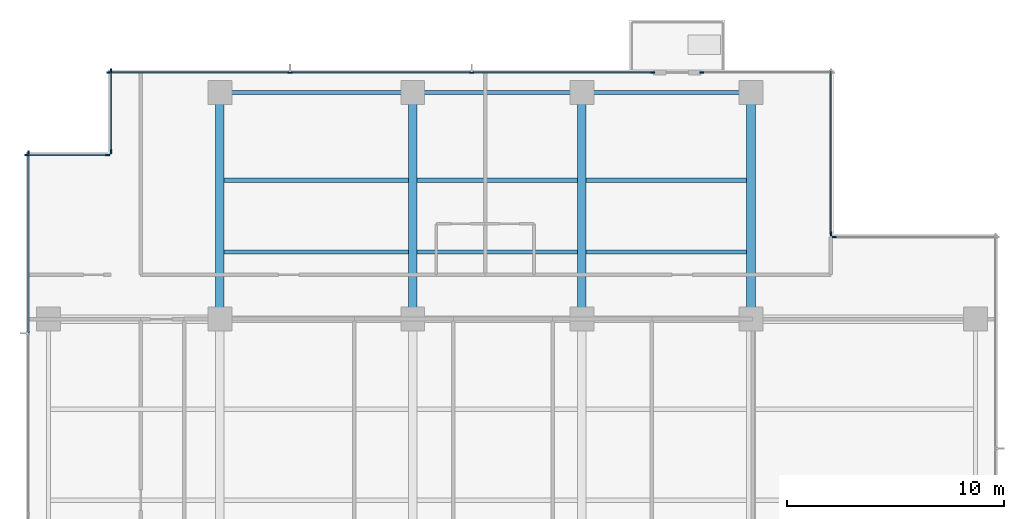
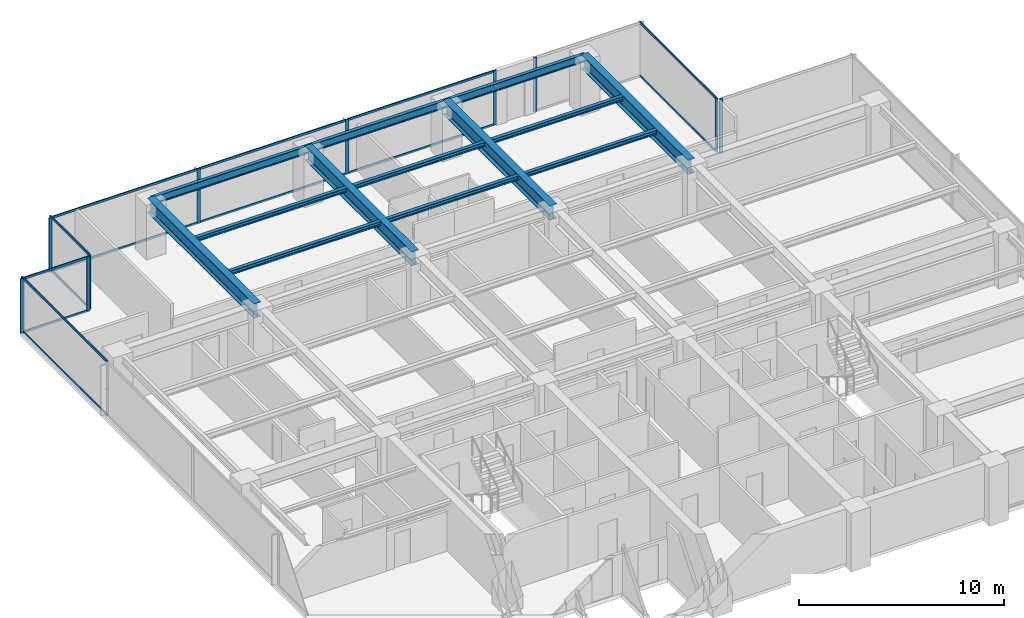
# One storey, part 4 of 15: 26 members, 13 beams, 7 elements without a shape of their own.
"""IFC4 building model written with IfcOpenShell, lengths in metres."""

from ifc_helpers import new_model, si_unit, direction, frame, origin, origin_2d, place, context, subcontext, project, spatial, rectangle, i_section, extrude, material, layer, layer_set, material_profile, profile_set, type_object, element, aggregate, save


model = new_model("IFC4")

# Units and contexts
model_context = context("Model", 3, precision=1e-05, world=origin(), true_north=direction((0.0, 1.0)))
body_context = subcontext(model_context, "Body", "Model", "MODEL_VIEW")
ifc_project = project(units=[si_unit("LENGTHUNIT", "METRE"), si_unit("AREAUNIT", "SQUARE_METRE"), si_unit("VOLUMEUNIT", "CUBIC_METRE"), si_unit("PLANEANGLEUNIT", "RADIAN"), si_unit("MASSUNIT", "GRAM", prefix="KILO")], contexts=[model_context])

# Site, building, storey
site_placement = place(None, origin())
site = spatial("IfcSite", under=ifc_project, at=site_placement, CompositionType="ELEMENT")
building_placement = place(site_placement, origin())
building = spatial("IfcBuilding", under=site, at=building_placement, Name="Qalmaran Belvedere Hotel", CompositionType="ELEMENT")
storey_placement = place(building_placement, frame((0.0, 0.0, 149.10009765625)))
storey = spatial("IfcBuildingStorey", under=building, at=storey_placement, Name="L37", CompositionType="ELEMENT", Elevation=149.10009765625)

# Beams
ifc_material_1 = material(Name="Steel S355JR", Category="steel")
ifc_material_profile_1 = material_profile(ifc_material_1, i_section(OverallWidth=0.201904296875, OverallDepth=0.2470703125, WebThickness=0.00732421875, FlangeThickness=0.010986328125, FilletRadius=0.011962890625, at=origin_2d()), Name="W250X49")
ifc_profile_set_1 = profile_set([ifc_material_profile_1], Name="Steel S355JR")
beam_type_1 = type_object("IfcBeamType", Name="BM-JST-W250X49", PredefinedType="JOIST", material=ifc_profile_set_1)
beam_1_placement = place(storey_placement, frame((20.498046875, 36.10009765625, 3.12646484375), z_axis=(1.0, 0.0, 0.0), x_axis=(0.0, 1.0, 0.0)))
element("IfcBeam", 1, at=beam_1_placement, inside=storey, type_object=beam_type_1, Name="L37 North Floor Joist 042", PredefinedType="JOIST", context=body_context, shape_type="SweptSolid", body=[
    extrude(i_section(OverallWidth=0.201904296875, OverallDepth=0.2470703125, WebThickness=0.00732421875, FlangeThickness=0.010986328125, FilletRadius=0.011962890625, at=origin_2d()), origin(), (0.0, 0.0, 1.0), 8.50390625),
])
for number, where, z_axis, x_axis, name in (
    (2, (29.39794921875, 36.10009765625, 3.12646484375), (1.0, 0.0, 0.0), (0.0, 1.0, 0.0), "L37 North Floor Joist 043"),
    (3, (37.197998046875, 36.10009765625, 3.12646484375), (1.0, 0.0, 0.0), (0.0, 1.0, 0.0), "L37 North Floor Joist 044"),
):
    element("IfcBeam", number, at=place(storey_placement, frame(where, z_axis=z_axis, x_axis=x_axis)), inside=storey, type_object=beam_type_1, Name=name, PredefinedType="JOIST", context=body_context, shape_type="SweptSolid", body=[
        extrude(i_section(OverallWidth=0.201904296875, OverallDepth=0.2470703125, WebThickness=0.00732421875, FlangeThickness=0.010986328125, FilletRadius=0.011962890625, at=origin_2d()), origin(), (0.0, 0.0, 1.0), 7.404052734375),
    ])
beam_2_placement = place(storey_placement, frame((20.498046875, 39.39990234375, 3.12646484375), z_axis=(1.0, 0.0, 0.0), x_axis=(0.0, 1.0, 0.0)))
element("IfcBeam", 4, at=beam_2_placement, inside=storey, type_object=beam_type_1, Name="L37 North Floor Joist 045", PredefinedType="JOIST", context=body_context, shape_type="SweptSolid", body=[
    extrude(i_section(OverallWidth=0.201904296875, OverallDepth=0.2470703125, WebThickness=0.00732421875, FlangeThickness=0.010986328125, FilletRadius=0.011962890625, at=origin_2d()), origin(), (0.0, 0.0, 1.0), 8.50390625),
])
for number, where, z_axis, x_axis, name in (
    (5, (29.39794921875, 39.39990234375, 3.12646484375), (1.0, 0.0, 0.0), (0.0, 1.0, 0.0), "L37 North Floor Joist 046"),
    (6, (37.197998046875, 39.39990234375, 3.12646484375), (1.0, 0.0, 0.0), (0.0, 1.0, 0.0), "L37 North Floor Joist 047"),
):
    element("IfcBeam", number, at=place(storey_placement, frame(where, z_axis=z_axis, x_axis=x_axis)), inside=storey, type_object=beam_type_1, Name=name, PredefinedType="JOIST", context=body_context, shape_type="SweptSolid", body=[
        extrude(i_section(OverallWidth=0.201904296875, OverallDepth=0.2470703125, WebThickness=0.00732421875, FlangeThickness=0.010986328125, FilletRadius=0.011962890625, at=origin_2d()), origin(), (0.0, 0.0, 1.0), 7.404052734375),
    ])
ifc_material_profile_2 = material_profile(ifc_material_1, i_section(OverallWidth=0.39990234375, OverallDepth=0.85498046875, WebThickness=0.018310546875, FlangeThickness=0.029296875, FilletRadius=0.02392578125, at=origin_2d()), Name="W840X299")
ifc_profile_set_2 = profile_set([ifc_material_profile_2], Name="Steel S355JR")
beam_type_2 = type_object("IfcBeamType", Name="BM-PG3-W840X299", PredefinedType="USERDEFINED", material=ifc_profile_set_2)
for number, where, z_axis, x_axis, name in (
    (7, (20.300048828125, 33.0, 2.822509765625), (0.0, 1.0, 0.0), (-1.0, 0.0, 0.0), "L37 North Bay Girder 15"),
    (8, (29.199951171875, 33.0, 2.822509765625), (0.0, 1.0, 0.0), (-1.0, 0.0, 0.0), "L37 North Bay Girder 17"),
    (9, (37.0, 33.0, 2.822509765625), (0.0, 1.0, 0.0), (-1.0, 0.0, 0.0), "L37 North Bay Girder 19"),
    (10, (44.800048828125, 33.0, 2.822509765625), (0.0, 1.0, 0.0), (-1.0, 0.0, 0.0), "L37 North Bay Girder 21"),
):
    element("IfcBeam", number, at=place(storey_placement, frame(where, z_axis=z_axis, x_axis=x_axis)), inside=storey, type_object=beam_type_2, Name=name, ObjectType="GIRDER", PredefinedType="USERDEFINED", context=body_context, shape_type="SweptSolid", body=[
        extrude(i_section(OverallWidth=0.39990234375, OverallDepth=0.85498046875, WebThickness=0.018310546875, FlangeThickness=0.029296875, FilletRadius=0.02392578125, at=origin_2d()), origin(), (0.0, 0.0, 1.0), 10.449951171875),
    ])
ifc_material_profile_3 = material_profile(ifc_material_1, i_section(OverallWidth=0.19189453125, OverallDepth=0.462890625, WebThickness=0.010498046875, FlangeThickness=0.017578125, FilletRadius=0.01611328125, at=origin_2d()), Name="W460X89")
ifc_profile_set_3 = profile_set([ifc_material_profile_3], Name="Steel S355JR")
beam_type_3 = type_object("IfcBeamType", Name="BM-SP2-W460X89", PredefinedType="SPANDREL", material=ifc_profile_set_3)
beam_3_placement = place(storey_placement, frame((20.300048828125, 43.449951171875, 3.018310546875), z_axis=(1.0, 0.0, 0.0), x_axis=(0.0, 1.0, 0.0)))
element("IfcBeam", 11, at=beam_3_placement, inside=storey, type_object=beam_type_3, Name="L37 Perimeter Spandrel 05", PredefinedType="SPANDREL", context=body_context, shape_type="SweptSolid", body=[
    extrude(i_section(OverallWidth=0.19189453125, OverallDepth=0.462890625, WebThickness=0.010498046875, FlangeThickness=0.017578125, FilletRadius=0.01611328125, at=origin_2d()), origin(), (0.0, 0.0, 1.0), 8.89990234375),
])
for number, where, z_axis, x_axis, name in (
    (12, (29.199951171875, 43.449951171875, 3.018310546875), (1.0, 0.0, 0.0), (0.0, 1.0, 0.0), "L37 Perimeter Spandrel 06"),
    (13, (37.0, 43.449951171875, 3.018310546875), (1.0, 0.0, 0.0), (0.0, 1.0, 0.0), "L37 Perimeter Spandrel 07"),
):
    element("IfcBeam", number, at=place(storey_placement, frame(where, z_axis=z_axis, x_axis=x_axis)), inside=storey, type_object=beam_type_3, Name=name, PredefinedType="SPANDREL", context=body_context, shape_type="SweptSolid", body=[
        extrude(i_section(OverallWidth=0.19189453125, OverallDepth=0.462890625, WebThickness=0.010498046875, FlangeThickness=0.017578125, FilletRadius=0.01611328125, at=origin_2d()), origin(), (0.0, 0.0, 1.0), 7.800048828125),
    ])

# Curtain wall, member
ifc_material_2 = material(Name="Anodised Bronze Aluminium", Category="aluminium")
ifc_layer = layer(ifc_material_2, 0.195068359375, Name="Anodised Bronze Aluminium")
ifc_layer_set = layer_set([ifc_layer], Name="Anodised Bronze Aluminium")
curtain_wall_type = type_object("IfcCurtainWallType", Name="CW4-TOWER-HIGHMID", PredefinedType="NOTDEFINED", material=ifc_layer_set)
curtain_wall_1_placement = place(storey_placement, origin())
curtain_wall_1 = element("IfcCurtainWall", 14, at=curtain_wall_1_placement, inside=storey, type_object=curtain_wall_type, Name="L37 Curtain Wall CW4", PredefinedType="NOTDEFINED")
ifc_material_profile_4 = material_profile(ifc_material_2, rectangle(XDim=0.070068359375, YDim=0.18994140625, at=origin_2d()), Name="CWM70X190")
ifc_profile_set_4 = profile_set([ifc_material_profile_4], Name="Anodised Bronze Aluminium")
member_type_1 = type_object("IfcMemberType", Name="CWM-70X190", PredefinedType="MULLION", material=ifc_profile_set_4)
member_1_placement = place(storey_placement, frame((48.635009765625, 36.780029296875, 0.0), z_axis=(0.0, 0.0, 1.0), x_axis=(0.0, -1.0, 0.0)))
member_1 = element("IfcMember", 15, at=member_1_placement, type_object=member_type_1, Name="CW4 mullion 2", PredefinedType="MULLION", context=body_context, shape_type="SweptSolid", body=[
    extrude(rectangle(XDim=0.070068359375, YDim=0.18994140625, at=origin_2d()), origin(), (0.0, 0.0, 1.0), 3.25),
])
aggregate(curtain_wall_1, [member_1])

curtain_wall_2_placement = place(storey_placement, origin())
curtain_wall_2 = element("IfcCurtainWall", 16, at=curtain_wall_2_placement, inside=storey, type_object=curtain_wall_type, Name="L37 Curtain Wall CW4", PredefinedType="NOTDEFINED")
member_2_placement = place(storey_placement, frame((48.47998046875, 36.93505859375, 0.0), z_axis=(0.0, 0.0, 1.0), x_axis=(-1.0, 0.0, 0.0)))
member_2 = element("IfcMember", 17, at=member_2_placement, type_object=member_type_1, Name="CW4 mullion 1", PredefinedType="MULLION", context=body_context, shape_type="SweptSolid", body=[
    extrude(rectangle(XDim=0.070068359375, YDim=0.18994140625, at=origin_2d()), origin(), (0.0, 0.0, 1.0), 3.25),
])

# Curtain wall, members
curtain_wall_3_placement = place(storey_placement, origin())
curtain_wall_3 = element("IfcCurtainWall", 18, at=curtain_wall_3_placement, inside=storey, type_object=curtain_wall_type, Name="L37 Curtain Wall CW4", PredefinedType="NOTDEFINED")
member_3_placement = place(storey_placement, frame((40.264892578125, 44.3798828125, 0.0), z_axis=(0.0, 0.0, 1.0), x_axis=(0.0, -1.0, 0.0)))
member_3 = element("IfcMember", 19, at=member_3_placement, type_object=member_type_1, Name="CW4 mullion 1", PredefinedType="MULLION", context=body_context, shape_type="SweptSolid", body=[
    extrude(rectangle(XDim=0.070068359375, YDim=0.18994140625, at=origin_2d()), origin(), (0.0, 0.0, 1.0), 3.25),
])
member_4_placement = place(storey_placement, frame((31.916748046875, 44.3798828125, 0.0), z_axis=(0.0, 0.0, 1.0), x_axis=(0.0, -1.0, 0.0)))
member_4 = element("IfcMember", 20, at=member_4_placement, type_object=member_type_1, Name="CW4 mullion 2", PredefinedType="MULLION", context=body_context, shape_type="SweptSolid", body=[
    extrude(rectangle(XDim=0.070068359375, YDim=0.18994140625, at=origin_2d()), origin(), (0.0, 0.0, 1.0), 3.25),
])
member_5_placement = place(storey_placement, frame((23.533447265625, 44.3798828125, 0.0), z_axis=(0.0, 0.0, 1.0), x_axis=(0.0, -1.0, 0.0)))
member_5 = element("IfcMember", 21, at=member_5_placement, type_object=member_type_1, Name="CW4 mullion 3", PredefinedType="MULLION", context=body_context, shape_type="SweptSolid", body=[
    extrude(rectangle(XDim=0.070068359375, YDim=0.18994140625, at=origin_2d()), origin(), (0.0, 0.0, 1.0), 3.25),
])
member_6_placement = place(storey_placement, frame((15.18505859375, 44.3798828125, 0.0), z_axis=(0.0, 0.0, 1.0), x_axis=(0.0, -1.0, 0.0)))
member_6 = element("IfcMember", 22, at=member_6_placement, type_object=member_type_1, Name="CW4 mullion 4", PredefinedType="MULLION", context=body_context, shape_type="SweptSolid", body=[
    extrude(rectangle(XDim=0.070068359375, YDim=0.18994140625, at=origin_2d()), origin(), (0.0, 0.0, 1.0), 3.25),
])

# Curtain wall, member
curtain_wall_4_placement = place(storey_placement, origin())
curtain_wall_4 = element("IfcCurtainWall", 23, at=curtain_wall_4_placement, inside=storey, type_object=curtain_wall_type, Name="L37 Curtain Wall CW4", PredefinedType="NOTDEFINED")
member_7_placement = place(storey_placement, frame((42.534912109375, 44.3798828125, 0.0), z_axis=(0.0, 0.0, 1.0), x_axis=(0.0, -1.0, 0.0)))
member_7 = element("IfcMember", 24, at=member_7_placement, type_object=member_type_1, Name="CW4 mullion 2", PredefinedType="MULLION", context=body_context, shape_type="SweptSolid", body=[
    extrude(rectangle(XDim=0.070068359375, YDim=0.18994140625, at=origin_2d()), origin(), (0.0, 0.0, 1.0), 3.25),
])
aggregate(curtain_wall_4, [member_7])

# Curtain wall, members
curtain_wall_5_placement = place(storey_placement, origin())
curtain_wall_5 = element("IfcCurtainWall", 25, at=curtain_wall_5_placement, inside=storey, type_object=curtain_wall_type, Name="L37 Curtain Wall CW4", PredefinedType="NOTDEFINED")
member_8_placement = place(storey_placement, frame((15.27001953125, 44.465087890625, 0.0), z_axis=(0.0, 0.0, 1.0), x_axis=(1.0, 0.0, 0.0)))
member_8 = element("IfcMember", 26, at=member_8_placement, type_object=member_type_1, Name="CW4 mullion 1", PredefinedType="MULLION", context=body_context, shape_type="SweptSolid", body=[
    extrude(rectangle(XDim=0.070068359375, YDim=0.18994140625, at=origin_2d()), origin(), (0.0, 0.0, 1.0), 3.25),
])
member_9_placement = place(storey_placement, frame((15.27001953125, 40.735107421875, 0.0), z_axis=(0.0, 0.0, 1.0), x_axis=(1.0, 0.0, 0.0)))
member_9 = element("IfcMember", 27, at=member_9_placement, type_object=member_type_1, Name="CW4 mullion 2", PredefinedType="MULLION", context=body_context, shape_type="SweptSolid", body=[
    extrude(rectangle(XDim=0.070068359375, YDim=0.18994140625, at=origin_2d()), origin(), (0.0, 0.0, 1.0), 3.25),
])

curtain_wall_6_placement = place(storey_placement, origin())
curtain_wall_6 = element("IfcCurtainWall", 28, at=curtain_wall_6_placement, inside=storey, type_object=curtain_wall_type, Name="L37 Curtain Wall CW4", PredefinedType="NOTDEFINED")
member_10_placement = place(storey_placement, frame((15.114990234375, 40.580078125, 0.0), z_axis=(0.0, 0.0, 1.0), x_axis=(0.0, -1.0, 0.0)))
member_10 = element("IfcMember", 29, at=member_10_placement, type_object=member_type_1, Name="CW4 mullion 1", PredefinedType="MULLION", context=body_context, shape_type="SweptSolid", body=[
    extrude(rectangle(XDim=0.070068359375, YDim=0.18994140625, at=origin_2d()), origin(), (0.0, 0.0, 1.0), 3.25),
])
member_11_placement = place(storey_placement, frame((11.385009765625, 40.580078125, 0.0), z_axis=(0.0, 0.0, 1.0), x_axis=(0.0, -1.0, 0.0)))
member_11 = element("IfcMember", 30, at=member_11_placement, type_object=member_type_1, Name="CW4 mullion 2", PredefinedType="MULLION", context=body_context, shape_type="SweptSolid", body=[
    extrude(rectangle(XDim=0.070068359375, YDim=0.18994140625, at=origin_2d()), origin(), (0.0, 0.0, 1.0), 3.25),
])

# Curtain wall, member
curtain_wall_7_placement = place(storey_placement, origin())
curtain_wall_7 = element("IfcCurtainWall", 31, at=curtain_wall_7_placement, inside=storey, type_object=curtain_wall_type, Name="L37 Curtain Wall CW4", PredefinedType="NOTDEFINED")
member_12_placement = place(storey_placement, frame((11.469970703125, 40.6650390625, 0.0), z_axis=(0.0, 0.0, 1.0), x_axis=(1.0, 0.0, 0.0)))
member_12 = element("IfcMember", 32, at=member_12_placement, type_object=member_type_1, Name="CW4 mullion 1", PredefinedType="MULLION", context=body_context, shape_type="SweptSolid", body=[
    extrude(rectangle(XDim=0.070068359375, YDim=0.18994140625, at=origin_2d()), origin(), (0.0, 0.0, 1.0), 3.25),
])

# Member
ifc_material_profile_5 = material_profile(ifc_material_2, rectangle(XDim=0.06494140625, YDim=0.1298828125, at=origin_2d()), Name="CWT65X130")
ifc_profile_set_5 = profile_set([ifc_material_profile_5], Name="Anodised Bronze Aluminium")
member_type_2 = type_object("IfcMemberType", Name="CWT-65X130", PredefinedType="USERDEFINED", material=ifc_profile_set_5)
member_13_placement = place(storey_placement, frame((48.47998046875, 36.969970703125, 0.032470703125), z_axis=(0.0, 1.0, 0.0), x_axis=(-1.0, 0.0, 0.0)))
member_13 = element("IfcMember", 33, at=member_13_placement, type_object=member_type_2, Name="CW4 transom 1.1", ObjectType="TRANSOM", PredefinedType="USERDEFINED", context=body_context, shape_type="SweptSolid", body=[
    extrude(rectangle(XDim=0.06494140625, YDim=0.1298828125, at=origin_2d()), origin(), (0.0, 0.0, 1.0), 7.4599609375),
])

member_14_placement = place(storey_placement, frame((48.47998046875, 36.969970703125, 3.21728515625), z_axis=(0.0, 1.0, 0.0), x_axis=(-1.0, 0.0, 0.0)))
member_14 = element("IfcMember", 34, at=member_14_placement, type_object=member_type_2, Name="CW4 transom 1.2", ObjectType="TRANSOM", PredefinedType="USERDEFINED", context=body_context, shape_type="SweptSolid", body=[
    extrude(rectangle(XDim=0.06494140625, YDim=0.1298828125, at=origin_2d()), origin(), (0.0, 0.0, 1.0), 7.4599609375),
])

aggregate(curtain_wall_2, [member_2, member_13, member_14])

member_15_placement = place(storey_placement, frame((40.22998046875, 44.3798828125, 0.032470703125), z_axis=(-1.0, 0.0, 0.0), x_axis=(0.0, -1.0, 0.0)))
member_15 = element("IfcMember", 35, at=member_15_placement, type_object=member_type_2, Name="CW4 transom 1.1", ObjectType="TRANSOM", PredefinedType="USERDEFINED", context=body_context, shape_type="SweptSolid", body=[
    extrude(rectangle(XDim=0.06494140625, YDim=0.1298828125, at=origin_2d()), origin(), (0.0, 0.0, 1.0), 8.2783203125),
])

member_16_placement = place(storey_placement, frame((40.22998046875, 44.3798828125, 3.21728515625), z_axis=(-1.0, 0.0, 0.0), x_axis=(0.0, -1.0, 0.0)))
member_16 = element("IfcMember", 36, at=member_16_placement, type_object=member_type_2, Name="CW4 transom 1.2", ObjectType="TRANSOM", PredefinedType="USERDEFINED", context=body_context, shape_type="SweptSolid", body=[
    extrude(rectangle(XDim=0.06494140625, YDim=0.1298828125, at=origin_2d()), origin(), (0.0, 0.0, 1.0), 8.2783203125),
])

member_17_placement = place(storey_placement, frame((31.881591796875, 44.3798828125, 0.032470703125), z_axis=(-1.0, 0.0, 0.0), x_axis=(0.0, -1.0, 0.0)))
member_17 = element("IfcMember", 37, at=member_17_placement, type_object=member_type_2, Name="CW4 transom 2.1", ObjectType="TRANSOM", PredefinedType="USERDEFINED", context=body_context, shape_type="SweptSolid", body=[
    extrude(rectangle(XDim=0.06494140625, YDim=0.1298828125, at=origin_2d()), origin(), (0.0, 0.0, 1.0), 8.313232421875),
])

member_18_placement = place(storey_placement, frame((31.881591796875, 44.3798828125, 3.21728515625), z_axis=(-1.0, 0.0, 0.0), x_axis=(0.0, -1.0, 0.0)))
member_18 = element("IfcMember", 38, at=member_18_placement, type_object=member_type_2, Name="CW4 transom 2.2", ObjectType="TRANSOM", PredefinedType="USERDEFINED", context=body_context, shape_type="SweptSolid", body=[
    extrude(rectangle(XDim=0.06494140625, YDim=0.1298828125, at=origin_2d()), origin(), (0.0, 0.0, 1.0), 8.313232421875),
])

member_19_placement = place(storey_placement, frame((23.498291015625, 44.3798828125, 0.032470703125), z_axis=(-1.0, 0.0, 0.0), x_axis=(0.0, -1.0, 0.0)))
member_19 = element("IfcMember", 39, at=member_19_placement, type_object=member_type_2, Name="CW4 transom 3.1", ObjectType="TRANSOM", PredefinedType="USERDEFINED", context=body_context, shape_type="SweptSolid", body=[
    extrude(rectangle(XDim=0.06494140625, YDim=0.1298828125, at=origin_2d()), origin(), (0.0, 0.0, 1.0), 8.2783203125),
])

member_20_placement = place(storey_placement, frame((23.498291015625, 44.3798828125, 3.21728515625), z_axis=(-1.0, 0.0, 0.0), x_axis=(0.0, -1.0, 0.0)))
member_20 = element("IfcMember", 40, at=member_20_placement, type_object=member_type_2, Name="CW4 transom 3.2", ObjectType="TRANSOM", PredefinedType="USERDEFINED", context=body_context, shape_type="SweptSolid", body=[
    extrude(rectangle(XDim=0.06494140625, YDim=0.1298828125, at=origin_2d()), origin(), (0.0, 0.0, 1.0), 8.2783203125),
])

aggregate(curtain_wall_3, [member_3, member_4, member_5, member_6, member_15, member_16, member_17, member_18, member_19, member_20])

member_21_placement = place(storey_placement, frame((15.27001953125, 44.429931640625, 0.032470703125), z_axis=(0.0, -1.0, 0.0), x_axis=(1.0, 0.0, 0.0)))
member_21 = element("IfcMember", 41, at=member_21_placement, type_object=member_type_2, Name="CW4 transom 1.1", ObjectType="TRANSOM", PredefinedType="USERDEFINED", context=body_context, shape_type="SweptSolid", body=[
    extrude(rectangle(XDim=0.06494140625, YDim=0.1298828125, at=origin_2d()), origin(), (0.0, 0.0, 1.0), 3.659912109375),
])

member_22_placement = place(storey_placement, frame((15.27001953125, 44.429931640625, 3.21728515625), z_axis=(0.0, -1.0, 0.0), x_axis=(1.0, 0.0, 0.0)))
member_22 = element("IfcMember", 42, at=member_22_placement, type_object=member_type_2, Name="CW4 transom 1.2", ObjectType="TRANSOM", PredefinedType="USERDEFINED", context=body_context, shape_type="SweptSolid", body=[
    extrude(rectangle(XDim=0.06494140625, YDim=0.1298828125, at=origin_2d()), origin(), (0.0, 0.0, 1.0), 3.659912109375),
])

aggregate(curtain_wall_5, [member_8, member_9, member_21, member_22])

member_23_placement = place(storey_placement, frame((15.080078125, 40.580078125, 0.032470703125), z_axis=(-1.0, 0.0, 0.0), x_axis=(0.0, -1.0, 0.0)))
member_23 = element("IfcMember", 43, at=member_23_placement, type_object=member_type_2, Name="CW4 transom 1.1", ObjectType="TRANSOM", PredefinedType="USERDEFINED", context=body_context, shape_type="SweptSolid", body=[
    extrude(rectangle(XDim=0.06494140625, YDim=0.1298828125, at=origin_2d()), origin(), (0.0, 0.0, 1.0), 3.66015625),
])

member_24_placement = place(storey_placement, frame((15.080078125, 40.580078125, 3.21728515625), z_axis=(-1.0, 0.0, 0.0), x_axis=(0.0, -1.0, 0.0)))
member_24 = element("IfcMember", 44, at=member_24_placement, type_object=member_type_2, Name="CW4 transom 1.2", ObjectType="TRANSOM", PredefinedType="USERDEFINED", context=body_context, shape_type="SweptSolid", body=[
    extrude(rectangle(XDim=0.06494140625, YDim=0.1298828125, at=origin_2d()), origin(), (0.0, 0.0, 1.0), 3.66015625),
])

aggregate(curtain_wall_6, [member_10, member_11, member_23, member_24])

member_25_placement = place(storey_placement, frame((11.469970703125, 40.6298828125, 0.032470703125), z_axis=(0.0, -1.0, 0.0), x_axis=(1.0, 0.0, 0.0)))
member_25 = element("IfcMember", 45, at=member_25_placement, type_object=member_type_2, Name="CW4 transom 1.1", ObjectType="TRANSOM", PredefinedType="USERDEFINED", context=body_context, shape_type="SweptSolid", body=[
    extrude(rectangle(XDim=0.06494140625, YDim=0.1298828125, at=origin_2d()), origin(), (0.0, 0.0, 1.0), 8.244873046875),
])

member_26_placement = place(storey_placement, frame((11.469970703125, 40.6298828125, 3.21728515625), z_axis=(0.0, -1.0, 0.0), x_axis=(1.0, 0.0, 0.0)))
member_26 = element("IfcMember", 46, at=member_26_placement, type_object=member_type_2, Name="CW4 transom 1.2", ObjectType="TRANSOM", PredefinedType="USERDEFINED", context=body_context, shape_type="SweptSolid", body=[
    extrude(rectangle(XDim=0.06494140625, YDim=0.1298828125, at=origin_2d()), origin(), (0.0, 0.0, 1.0), 8.244873046875),
])

aggregate(curtain_wall_7, [member_12, member_25, member_26])

save(model, "model.ifc")
